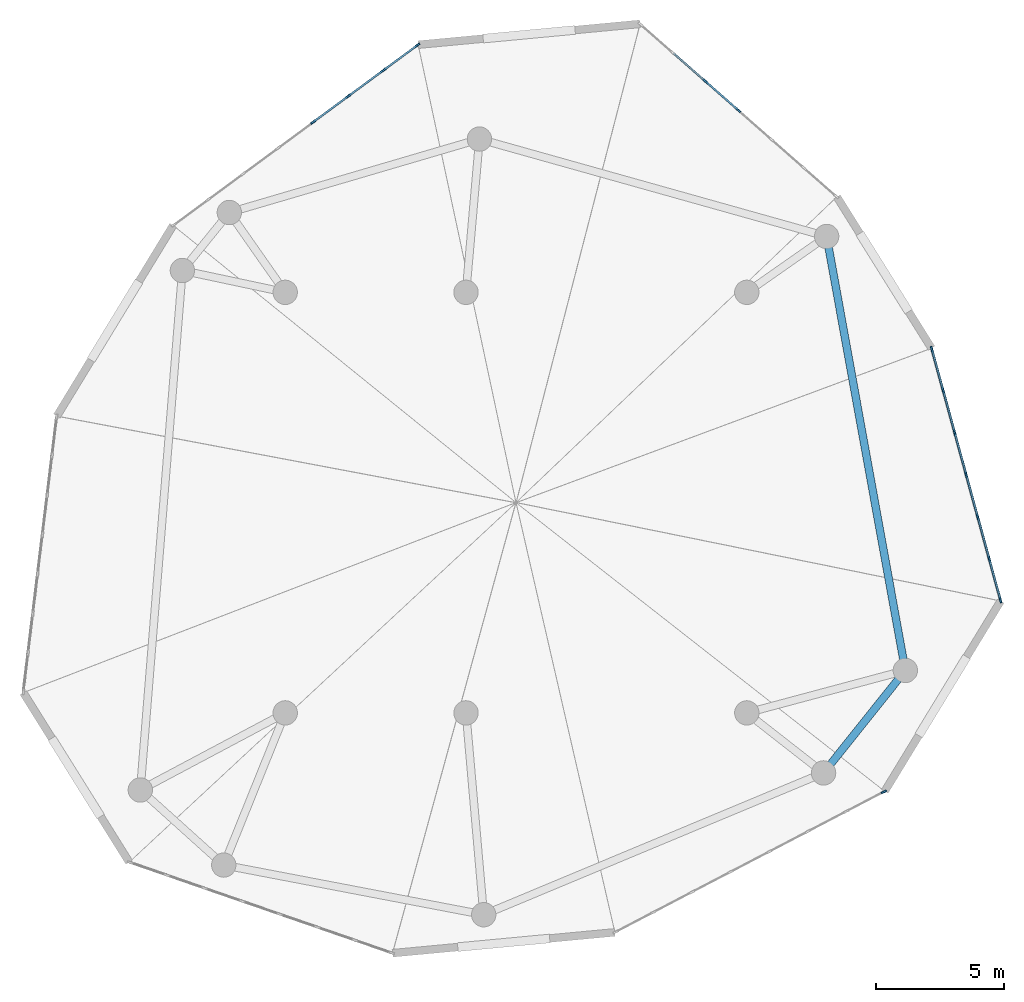
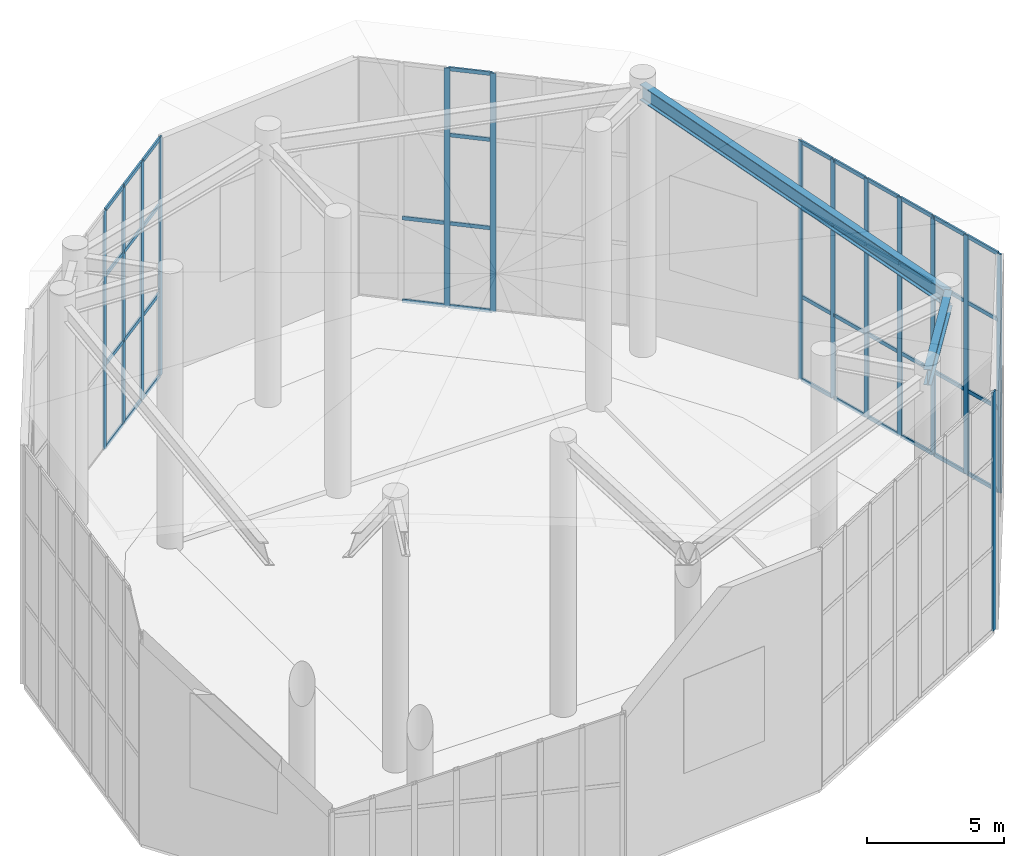
# One storey, part 4 of 8: 56 members, 2 beams, 4 elements without a shape of their own.
"""IFC4 building model written with IfcOpenShell, lengths in metres."""

from ifc_helpers import new_model, si_unit, direction, frame, origin, origin_with_axes, origin_2d, place, context, subcontext, project, spatial, rectangle, i_section, extrude, source, transform, mapped, material, layer, layer_set, material_profile, profile_set, type_object, element, aggregate, save


model = new_model("IFC4")

# Units and contexts
model_context = context("Model", 3, precision=1e-05, world=origin(), true_north=direction((0.0, 1.0)))
body_context = subcontext(model_context, "Body", "Model", "MODEL_VIEW")
ifc_project = project(units=[si_unit("LENGTHUNIT", "METRE"), si_unit("AREAUNIT", "SQUARE_METRE"), si_unit("VOLUMEUNIT", "CUBIC_METRE"), si_unit("PLANEANGLEUNIT", "RADIAN"), si_unit("MASSUNIT", "GRAM", prefix="KILO")], contexts=[model_context])

# Site, building, storey
site_placement = place(None, origin())
site = spatial("IfcSite", under=ifc_project, at=site_placement, CompositionType="ELEMENT")
building_placement = place(site_placement, origin())
building = spatial("IfcBuilding", under=site, at=building_placement, Name="Karkom Vertical University and Central Library", CompositionType="ELEMENT")
storey_placement = place(building_placement, frame((0.0, 0.0, 290.0)))
storey = spatial("IfcBuildingStorey", under=building, at=storey_placement, Name="R82", CompositionType="ELEMENT", Elevation=290.0)

# Beams
ifc_material_1 = material(Name="Steel S355", Category="steel")
ifc_material_profile_1 = material_profile(ifc_material_1, i_section(OverallWidth=0.300048828125, OverallDepth=0.699951171875, WebThickness=0.01708984375, FlangeThickness=0.031982421875, FilletRadius=0.027099609375, at=origin_2d()), Name="HE 700 B")
ifc_profile_set_1 = profile_set([ifc_material_profile_1], Name="Steel S355")
beam_type = type_object("IfcBeamType", Name="STR-BM-SB-HE700", PredefinedType="USERDEFINED", material=ifc_profile_set_1)
shared_shape_1 = source(origin_with_axes(), body_context, "Body", "SweptSolid", [
    extrude(i_section(OverallWidth=0.300048828125, OverallDepth=0.699951171875, WebThickness=0.01708984375, FlangeThickness=0.031982421875, FilletRadius=0.027099609375, at=origin_2d()), origin(), (0.0, 0.0, 1.0), 17.19970703125),
])
beam_1_placement = place(storey_placement, frame((43.681884765625, 19.9560546875, 11.580078125), z_axis=(-0.178423249727, 0.983953832228, 0.0), x_axis=(-0.983953832228, -0.178423249727, 0.0)))
element("IfcBeam", 1, at=beam_1_placement, inside=storey, type_object=beam_type, Name="Roof Level 82 Crown Top Cap Ring Beam 01", ObjectType="GIRDER", PredefinedType="USERDEFINED", context=body_context, shape_type="MappedRepresentation", body=[
    mapped(shared_shape_1, transform((0.0, 0.0, 0.0), scale=1.0)),
])
shared_shape_2 = source(origin_with_axes(), body_context, "Body", "SweptSolid", [
    extrude(i_section(OverallWidth=0.300048828125, OverallDepth=0.699951171875, WebThickness=0.01708984375, FlangeThickness=0.031982421875, FilletRadius=0.027099609375, at=origin_2d()), origin(), (0.0, 0.0, 1.0), 5.112060546875),
])
beam_2_placement = place(storey_placement, frame((40.493896484375, 15.9599609375, 11.580078125), z_axis=(0.623634459503, 0.78171609995, 0.0), x_axis=(-0.78171609995, 0.623634459503, 0.0)))
element("IfcBeam", 2, at=beam_2_placement, inside=storey, type_object=beam_type, Name="Roof Level 82 Crown Top Cap Ring Beam 09", ObjectType="GIRDER", PredefinedType="USERDEFINED", context=body_context, shape_type="MappedRepresentation", body=[
    mapped(shared_shape_2, transform((0.0, 0.0, 0.0), scale=1.0)),
])

# Curtain wall, member
ifc_material_2 = material(Name="Aluminium curtain-wall framing and low-E IGU", Category="aluminium")
ifc_layer = layer(ifc_material_2, 0.199951171875)
ifc_layer_set = layer_set([ifc_layer], Name="Aluminium curtain-wall framing and low-E IGU")
curtain_wall_type = type_object("IfcCurtainWallType", Name="ENV-CW-6", PredefinedType="USERDEFINED", material=ifc_layer_set)
curtain_wall_1_placement = place(storey_placement, origin())
curtain_wall_1 = element("IfcCurtainWall", 3, at=curtain_wall_1_placement, inside=storey, type_object=curtain_wall_type, Name="Roof Level 82 CW-6 Curtain Wall R82-CW6-04", ObjectType="UNITISED GLAZING", PredefinedType="USERDEFINED")
ifc_material_3 = material(Name="Anodised Aluminium 6063-T6", Category="aluminium")
ifc_material_profile_2 = material_profile(ifc_material_3, rectangle(XDim=0.074951171875, YDim=0.219970703125, at=origin_2d()), Name="ALU-M75x220")
ifc_profile_set_2 = profile_set([ifc_material_profile_2], Name="Anodised Aluminium 6063-T6")
member_type_1 = type_object("IfcMemberType", Name="ENV-MEM-ALU-M75x220", PredefinedType="MULLION", material=ifc_profile_set_2)
shared_shape_3 = source(origin_with_axes(), body_context, "Body", "SweptSolid", [
    extrude(rectangle(XDim=0.074951171875, YDim=0.219970703125, at=origin_2d()), origin(), (0.0, 0.0, 1.0), 10.60009765625),
])
member_1_placement = place(storey_placement, frame((42.846923828125, 15.22412109375, 0.0), z_axis=(0.0, 0.0, 1.0), x_axis=(-0.463283516735, 0.886210123572, 0.0)))
member_1 = element("IfcMember", 4, at=member_1_placement, type_object=member_type_1, Name="CW-6 mullion 8", PredefinedType="MULLION", context=body_context, shape_type="MappedRepresentation", body=[
    mapped(shared_shape_3, transform((0.0, 0.0, 0.0), scale=1.0)),
])
aggregate(curtain_wall_1, [member_1])

# Curtain wall, members
curtain_wall_2_placement = place(storey_placement, origin())
curtain_wall_2 = element("IfcCurtainWall", 5, at=curtain_wall_2_placement, inside=storey, type_object=curtain_wall_type, Name="Roof Level 82 CW-6 Curtain Wall R82-CW6-06", ObjectType="UNITISED GLAZING", PredefinedType="USERDEFINED")
member_2_placement = place(storey_placement, frame((47.391357421875, 22.697021484375, 0.0), z_axis=(0.0, 0.0, 1.0), x_axis=(-0.964579869177, -0.263790970238, 0.0)))
member_2 = element("IfcMember", 6, at=member_2_placement, type_object=member_type_1, Name="CW-6 mullion 1", PredefinedType="MULLION", context=body_context, shape_type="MappedRepresentation", body=[
    mapped(shared_shape_3, transform((0.0, 0.0, 0.0), scale=1.0)),
])
member_3_placement = place(storey_placement, frame((46.95166015625, 24.3046875, 0.0), z_axis=(0.0, 0.0, 1.0), x_axis=(-0.964579869177, -0.263790970238, 0.0)))
member_3 = element("IfcMember", 7, at=member_3_placement, type_object=member_type_1, Name="CW-6 mullion 2", PredefinedType="MULLION", context=body_context, shape_type="MappedRepresentation", body=[
    mapped(shared_shape_3, transform((0.0, 0.0, 0.0), scale=1.0)),
])
member_4_placement = place(storey_placement, frame((46.502197265625, 25.948486328125, 0.0), z_axis=(0.0, 0.0, 1.0), x_axis=(-0.964579869177, -0.263790970238, 0.0)))
member_4 = element("IfcMember", 8, at=member_4_placement, type_object=member_type_1, Name="CW-6 mullion 3", PredefinedType="MULLION", context=body_context, shape_type="MappedRepresentation", body=[
    mapped(shared_shape_3, transform((0.0, 0.0, 0.0), scale=1.0)),
])
member_5_placement = place(storey_placement, frame((46.052490234375, 27.59228515625, 0.0), z_axis=(0.0, 0.0, 1.0), x_axis=(-0.964579869177, -0.263790970238, 0.0)))
member_5 = element("IfcMember", 9, at=member_5_placement, type_object=member_type_1, Name="CW-6 mullion 4", PredefinedType="MULLION", context=body_context, shape_type="MappedRepresentation", body=[
    mapped(shared_shape_3, transform((0.0, 0.0, 0.0), scale=1.0)),
])
member_6_placement = place(storey_placement, frame((45.60302734375, 29.236083984375, 0.0), z_axis=(0.0, 0.0, 1.0), x_axis=(-0.964579869177, -0.263790970238, 0.0)))
member_6 = element("IfcMember", 10, at=member_6_placement, type_object=member_type_1, Name="CW-6 mullion 5", PredefinedType="MULLION", context=body_context, shape_type="MappedRepresentation", body=[
    mapped(shared_shape_3, transform((0.0, 0.0, 0.0), scale=1.0)),
])
member_7_placement = place(storey_placement, frame((45.153564453125, 30.879638671875, 0.0), z_axis=(0.0, 0.0, 1.0), x_axis=(-0.964579869177, -0.263790970238, 0.0)))
member_7 = element("IfcMember", 11, at=member_7_placement, type_object=member_type_1, Name="CW-6 mullion 6", PredefinedType="MULLION", context=body_context, shape_type="MappedRepresentation", body=[
    mapped(shared_shape_3, transform((0.0, 0.0, 0.0), scale=1.0)),
])
member_8_placement = place(storey_placement, frame((44.7138671875, 32.4873046875, 0.0), z_axis=(0.0, 0.0, 1.0), x_axis=(-0.964579869177, -0.263790970238, 0.0)))
member_8 = element("IfcMember", 12, at=member_8_placement, type_object=member_type_1, Name="CW-6 mullion 7", PredefinedType="MULLION", context=body_context, shape_type="MappedRepresentation", body=[
    mapped(shared_shape_3, transform((0.0, 0.0, 0.0), scale=1.0)),
])

curtain_wall_3_placement = place(storey_placement, origin())
curtain_wall_3 = element("IfcCurtainWall", 13, at=curtain_wall_3_placement, inside=storey, type_object=curtain_wall_type, Name="Roof Level 82 CW-6 Curtain Wall R82-CW6-08", ObjectType="UNITISED GLAZING", PredefinedType="USERDEFINED")
member_9_placement = place(storey_placement, frame((37.17626953125, 41.79736328125, 0.0), z_axis=(0.0, 0.0, 1.0), x_axis=(-0.659935992158, -0.75132182602, 0.0)))
member_9 = element("IfcMember", 14, at=member_9_placement, type_object=member_type_1, Name="CW-6 mullion 4", PredefinedType="MULLION", context=body_context, shape_type="MappedRepresentation", body=[
    mapped(shared_shape_3, transform((0.0, 0.0, 0.0), scale=1.0)),
])
member_10_placement = place(storey_placement, frame((35.89599609375, 42.921875, 0.0), z_axis=(0.0, 0.0, 1.0), x_axis=(-0.659935992158, -0.75132182602, 0.0)))
member_10 = element("IfcMember", 15, at=member_10_placement, type_object=member_type_1, Name="CW-6 mullion 5", PredefinedType="MULLION", context=body_context, shape_type="MappedRepresentation", body=[
    mapped(shared_shape_3, transform((0.0, 0.0, 0.0), scale=1.0)),
])

curtain_wall_4_placement = place(storey_placement, origin())
curtain_wall_4 = element("IfcCurtainWall", 16, at=curtain_wall_4_placement, inside=storey, type_object=curtain_wall_type, Name="Roof Level 82 CW-6 Curtain Wall R82-CW6-10", ObjectType="UNITISED GLAZING", PredefinedType="USERDEFINED")
member_11_placement = place(storey_placement, frame((24.65478515625, 44.337890625, 0.0), z_axis=(0.0, 0.0, 1.0), x_axis=(0.593428498713, -0.804886710609, 0.0)))
member_11 = element("IfcMember", 17, at=member_11_placement, type_object=member_type_1, Name="CW-6 mullion 1", PredefinedType="MULLION", context=body_context, shape_type="MappedRepresentation", body=[
    mapped(shared_shape_3, transform((0.0, 0.0, 0.0), scale=1.0)),
])
member_12_placement = place(storey_placement, frame((23.3193359375, 43.353271484375, 0.0), z_axis=(0.0, 0.0, 1.0), x_axis=(0.593428498713, -0.804886710609, 0.0)))
member_12 = element("IfcMember", 18, at=member_12_placement, type_object=member_type_1, Name="CW-6 mullion 2", PredefinedType="MULLION", context=body_context, shape_type="MappedRepresentation", body=[
    mapped(shared_shape_3, transform((0.0, 0.0, 0.0), scale=1.0)),
])
member_13_placement = place(storey_placement, frame((21.95361328125, 42.346435546875, 0.0), z_axis=(0.0, 0.0, 1.0), x_axis=(0.593428498713, -0.804886710609, 0.0)))
member_13 = element("IfcMember", 19, at=member_13_placement, type_object=member_type_1, Name="CW-6 mullion 3", PredefinedType="MULLION", context=body_context, shape_type="MappedRepresentation", body=[
    mapped(shared_shape_3, transform((0.0, 0.0, 0.0), scale=1.0)),
])
member_14_placement = place(storey_placement, frame((20.588134765625, 41.339599609375, 0.0), z_axis=(0.0, 0.0, 1.0), x_axis=(0.593428498713, -0.804886710609, 0.0)))
member_14 = element("IfcMember", 20, at=member_14_placement, type_object=member_type_1, Name="CW-6 mullion 4", PredefinedType="MULLION", context=body_context, shape_type="MappedRepresentation", body=[
    mapped(shared_shape_3, transform((0.0, 0.0, 0.0), scale=1.0)),
])
ifc_material_profile_3 = material_profile(ifc_material_3, rectangle(XDim=0.074951171875, YDim=0.1650390625, at=origin_2d()), Name="ALU-T75x165")
ifc_profile_set_3 = profile_set([ifc_material_profile_3], Name="Anodised Aluminium 6063-T6")
member_type_2 = type_object("IfcMemberType", Name="ENV-MEM-ALU-T75x165", PredefinedType="USERDEFINED", material=ifc_profile_set_3)
shared_shape_4 = source(origin_with_axes(), body_context, "Body", "SweptSolid", [
    extrude(rectangle(XDim=0.074951171875, YDim=0.1650390625, at=origin_2d()), origin(), (0.0, 0.0, 1.0), 1.621826171875),
])
member_15_placement = place(storey_placement, frame((21.923583984375, 42.32421875, 0.03759765625), z_axis=(-0.804904466532, -0.593404415012, 0.0), x_axis=(0.593404415012, -0.804904466532, 0.0)))
member_15 = element("IfcMember", 21, at=member_15_placement, type_object=member_type_2, Name="CW-6 transom 3.1", ObjectType="TRANSOM", PredefinedType="USERDEFINED", context=body_context, shape_type="MappedRepresentation", body=[
    mapped(shared_shape_4, transform((0.0, 0.0, 0.0), scale=1.0)),
])
member_16_placement = place(storey_placement, frame((21.923583984375, 42.32421875, 3.7099609375), z_axis=(-0.804904466532, -0.593404415012, 0.0), x_axis=(0.593404415012, -0.804904466532, 0.0)))
member_16 = element("IfcMember", 22, at=member_16_placement, type_object=member_type_2, Name="CW-6 transom 3.2", ObjectType="TRANSOM", PredefinedType="USERDEFINED", context=body_context, shape_type="MappedRepresentation", body=[
    mapped(shared_shape_4, transform((0.0, 0.0, 0.0), scale=1.0)),
])
member_17_placement = place(storey_placement, frame((21.923583984375, 42.32421875, 7.632080078125), z_axis=(-0.804904466532, -0.593404415012, 0.0), x_axis=(0.593404415012, -0.804904466532, 0.0)))
member_17 = element("IfcMember", 23, at=member_17_placement, type_object=member_type_2, Name="CW-6 transom 3.3", ObjectType="TRANSOM", PredefinedType="USERDEFINED", context=body_context, shape_type="MappedRepresentation", body=[
    mapped(shared_shape_4, transform((0.0, 0.0, 0.0), scale=1.0)),
])
member_18_placement = place(storey_placement, frame((21.923583984375, 42.32421875, 10.5625), z_axis=(-0.804904466532, -0.593404415012, 0.0), x_axis=(0.593404415012, -0.804904466532, 0.0)))
member_18 = element("IfcMember", 24, at=member_18_placement, type_object=member_type_2, Name="CW-6 transom 3.4", ObjectType="TRANSOM", PredefinedType="USERDEFINED", context=body_context, shape_type="MappedRepresentation", body=[
    mapped(shared_shape_4, transform((0.0, 0.0, 0.0), scale=1.0)),
])
shared_shape_5 = source(origin_with_axes(), body_context, "Body", "SweptSolid", [
    extrude(rectangle(XDim=0.074951171875, YDim=0.1650390625, at=origin_2d()), origin(), (0.0, 0.0, 1.0), 1.62158203125),
])
member_19_placement = place(storey_placement, frame((23.2890625, 43.3310546875, 0.03759765625), z_axis=(-0.804851449595, -0.593476321419, 0.0), x_axis=(0.593476321419, -0.804851449595, 0.0)))
member_19 = element("IfcMember", 25, at=member_19_placement, type_object=member_type_2, Name="CW-6 transom 2.1", ObjectType="TRANSOM", PredefinedType="USERDEFINED", context=body_context, shape_type="MappedRepresentation", body=[
    mapped(shared_shape_5, transform((0.0, 0.0, 0.0), scale=1.0)),
])
member_20_placement = place(storey_placement, frame((23.2890625, 43.3310546875, 3.7099609375), z_axis=(-0.804851449595, -0.593476321419, 0.0), x_axis=(0.593476321419, -0.804851449595, 0.0)))
member_20 = element("IfcMember", 26, at=member_20_placement, type_object=member_type_2, Name="CW-6 transom 2.2", ObjectType="TRANSOM", PredefinedType="USERDEFINED", context=body_context, shape_type="MappedRepresentation", body=[
    mapped(shared_shape_5, transform((0.0, 0.0, 0.0), scale=1.0)),
])
member_21_placement = place(storey_placement, frame((23.2890625, 43.3310546875, 7.632080078125), z_axis=(-0.804851449595, -0.593476321419, 0.0), x_axis=(0.593476321419, -0.804851449595, 0.0)))
member_21 = element("IfcMember", 27, at=member_21_placement, type_object=member_type_2, Name="CW-6 transom 2.3", ObjectType="TRANSOM", PredefinedType="USERDEFINED", context=body_context, shape_type="MappedRepresentation", body=[
    mapped(shared_shape_5, transform((0.0, 0.0, 0.0), scale=1.0)),
])
member_22_placement = place(storey_placement, frame((23.2890625, 43.3310546875, 10.5625), z_axis=(-0.804851449595, -0.593476321419, 0.0), x_axis=(0.593476321419, -0.804851449595, 0.0)))
member_22 = element("IfcMember", 28, at=member_22_placement, type_object=member_type_2, Name="CW-6 transom 2.4", ObjectType="TRANSOM", PredefinedType="USERDEFINED", context=body_context, shape_type="MappedRepresentation", body=[
    mapped(shared_shape_5, transform((0.0, 0.0, 0.0), scale=1.0)),
])

# Member
shared_shape_6 = source(origin_with_axes(), body_context, "Body", "SweptSolid", [
    extrude(rectangle(XDim=0.074951171875, YDim=0.1650390625, at=origin_2d()), origin(), (0.0, 0.0, 1.0), 1.591796875),
])
member_23_placement = place(storey_placement, frame((47.38134765625, 22.733154296875, 0.03759765625), z_axis=(-0.263662457344, 0.964615005371, 0.0), x_axis=(-0.964615005371, -0.263662457344, 0.0)))
member_23 = element("IfcMember", 29, at=member_23_placement, type_object=member_type_2, Name="CW-6 transom 1.1", ObjectType="TRANSOM", PredefinedType="USERDEFINED", context=body_context, shape_type="MappedRepresentation", body=[
    mapped(shared_shape_6, transform((0.0, 0.0, 0.0), scale=1.0)),
])

member_24_placement = place(storey_placement, frame((47.38134765625, 22.733154296875, 3.7099609375), z_axis=(-0.263662457344, 0.964615005371, 0.0), x_axis=(-0.964615005371, -0.263662457344, 0.0)))
member_24 = element("IfcMember", 30, at=member_24_placement, type_object=member_type_2, Name="CW-6 transom 1.2", ObjectType="TRANSOM", PredefinedType="USERDEFINED", context=body_context, shape_type="MappedRepresentation", body=[
    mapped(shared_shape_6, transform((0.0, 0.0, 0.0), scale=1.0)),
])

member_25_placement = place(storey_placement, frame((47.38134765625, 22.733154296875, 7.632080078125), z_axis=(-0.263662457344, 0.964615005371, 0.0), x_axis=(-0.964615005371, -0.263662457344, 0.0)))
member_25 = element("IfcMember", 31, at=member_25_placement, type_object=member_type_2, Name="CW-6 transom 1.3", ObjectType="TRANSOM", PredefinedType="USERDEFINED", context=body_context, shape_type="MappedRepresentation", body=[
    mapped(shared_shape_6, transform((0.0, 0.0, 0.0), scale=1.0)),
])

member_26_placement = place(storey_placement, frame((47.38134765625, 22.733154296875, 10.5625), z_axis=(-0.263662457344, 0.964615005371, 0.0), x_axis=(-0.964615005371, -0.263662457344, 0.0)))
member_26 = element("IfcMember", 32, at=member_26_placement, type_object=member_type_2, Name="CW-6 transom 1.4", ObjectType="TRANSOM", PredefinedType="USERDEFINED", context=body_context, shape_type="MappedRepresentation", body=[
    mapped(shared_shape_6, transform((0.0, 0.0, 0.0), scale=1.0)),
])

shared_shape_7 = source(origin_with_axes(), body_context, "Body", "SweptSolid", [
    extrude(rectangle(XDim=0.074951171875, YDim=0.1650390625, at=origin_2d()), origin(), (0.0, 0.0, 1.0), 1.62939453125),
])
member_27_placement = place(storey_placement, frame((46.94189453125, 24.3408203125, 0.03759765625), z_axis=(-0.263878078508, 0.96455604279, 0.0), x_axis=(-0.96455604279, -0.263878078508, 0.0)))
member_27 = element("IfcMember", 33, at=member_27_placement, type_object=member_type_2, Name="CW-6 transom 2.1", ObjectType="TRANSOM", PredefinedType="USERDEFINED", context=body_context, shape_type="MappedRepresentation", body=[
    mapped(shared_shape_7, transform((0.0, 0.0, 0.0), scale=1.0)),
])

member_28_placement = place(storey_placement, frame((46.94189453125, 24.3408203125, 3.7099609375), z_axis=(-0.263878078508, 0.96455604279, 0.0), x_axis=(-0.96455604279, -0.263878078508, 0.0)))
member_28 = element("IfcMember", 34, at=member_28_placement, type_object=member_type_2, Name="CW-6 transom 2.2", ObjectType="TRANSOM", PredefinedType="USERDEFINED", context=body_context, shape_type="MappedRepresentation", body=[
    mapped(shared_shape_7, transform((0.0, 0.0, 0.0), scale=1.0)),
])

member_29_placement = place(storey_placement, frame((46.94189453125, 24.3408203125, 7.632080078125), z_axis=(-0.263878078508, 0.96455604279, 0.0), x_axis=(-0.96455604279, -0.263878078508, 0.0)))
member_29 = element("IfcMember", 35, at=member_29_placement, type_object=member_type_2, Name="CW-6 transom 2.3", ObjectType="TRANSOM", PredefinedType="USERDEFINED", context=body_context, shape_type="MappedRepresentation", body=[
    mapped(shared_shape_7, transform((0.0, 0.0, 0.0), scale=1.0)),
])

member_30_placement = place(storey_placement, frame((46.94189453125, 24.3408203125, 10.5625), z_axis=(-0.263878078508, 0.96455604279, 0.0), x_axis=(-0.96455604279, -0.263878078508, 0.0)))
member_30 = element("IfcMember", 36, at=member_30_placement, type_object=member_type_2, Name="CW-6 transom 2.4", ObjectType="TRANSOM", PredefinedType="USERDEFINED", context=body_context, shape_type="MappedRepresentation", body=[
    mapped(shared_shape_7, transform((0.0, 0.0, 0.0), scale=1.0)),
])

shared_shape_8 = source(origin_with_axes(), body_context, "Body", "SweptSolid", [
    extrude(rectangle(XDim=0.074951171875, YDim=0.1650390625, at=origin_2d()), origin(), (0.0, 0.0, 1.0), 1.62890625),
])
member_31_placement = place(storey_placement, frame((46.4921875, 25.984619140625, 0.03759765625), z_axis=(-0.263776786292, 0.964583748056, 0.0), x_axis=(-0.964583748056, -0.263776786292, 0.0)))
member_31 = element("IfcMember", 37, at=member_31_placement, type_object=member_type_2, Name="CW-6 transom 3.1", ObjectType="TRANSOM", PredefinedType="USERDEFINED", context=body_context, shape_type="MappedRepresentation", body=[
    mapped(shared_shape_8, transform((0.0, 0.0, 0.0), scale=1.0)),
])

member_32_placement = place(storey_placement, frame((46.4921875, 25.984619140625, 3.7099609375), z_axis=(-0.263776786292, 0.964583748056, 0.0), x_axis=(-0.964583748056, -0.263776786292, 0.0)))
member_32 = element("IfcMember", 38, at=member_32_placement, type_object=member_type_2, Name="CW-6 transom 3.2", ObjectType="TRANSOM", PredefinedType="USERDEFINED", context=body_context, shape_type="MappedRepresentation", body=[
    mapped(shared_shape_8, transform((0.0, 0.0, 0.0), scale=1.0)),
])

member_33_placement = place(storey_placement, frame((46.4921875, 25.984619140625, 7.632080078125), z_axis=(-0.263776786292, 0.964583748056, 0.0), x_axis=(-0.964583748056, -0.263776786292, 0.0)))
member_33 = element("IfcMember", 39, at=member_33_placement, type_object=member_type_2, Name="CW-6 transom 3.3", ObjectType="TRANSOM", PredefinedType="USERDEFINED", context=body_context, shape_type="MappedRepresentation", body=[
    mapped(shared_shape_8, transform((0.0, 0.0, 0.0), scale=1.0)),
])

member_34_placement = place(storey_placement, frame((46.4921875, 25.984619140625, 10.5625), z_axis=(-0.263776786292, 0.964583748056, 0.0), x_axis=(-0.964583748056, -0.263776786292, 0.0)))
member_34 = element("IfcMember", 40, at=member_34_placement, type_object=member_type_2, Name="CW-6 transom 3.4", ObjectType="TRANSOM", PredefinedType="USERDEFINED", context=body_context, shape_type="MappedRepresentation", body=[
    mapped(shared_shape_8, transform((0.0, 0.0, 0.0), scale=1.0)),
])

member_35_placement = place(storey_placement, frame((46.042724609375, 27.62841796875, 0.03759765625), z_axis=(-0.263776786292, 0.964583748056, 0.0), x_axis=(-0.964583748056, -0.263776786292, 0.0)))
member_35 = element("IfcMember", 41, at=member_35_placement, type_object=member_type_2, Name="CW-6 transom 4.1", ObjectType="TRANSOM", PredefinedType="USERDEFINED", context=body_context, shape_type="MappedRepresentation", body=[
    mapped(shared_shape_8, transform((0.0, 0.0, 0.0), scale=1.0)),
])

member_36_placement = place(storey_placement, frame((46.042724609375, 27.62841796875, 3.7099609375), z_axis=(-0.263776786292, 0.964583748056, 0.0), x_axis=(-0.964583748056, -0.263776786292, 0.0)))
member_36 = element("IfcMember", 42, at=member_36_placement, type_object=member_type_2, Name="CW-6 transom 4.2", ObjectType="TRANSOM", PredefinedType="USERDEFINED", context=body_context, shape_type="MappedRepresentation", body=[
    mapped(shared_shape_8, transform((0.0, 0.0, 0.0), scale=1.0)),
])

member_37_placement = place(storey_placement, frame((46.042724609375, 27.62841796875, 7.632080078125), z_axis=(-0.263776786292, 0.964583748056, 0.0), x_axis=(-0.964583748056, -0.263776786292, 0.0)))
member_37 = element("IfcMember", 43, at=member_37_placement, type_object=member_type_2, Name="CW-6 transom 4.3", ObjectType="TRANSOM", PredefinedType="USERDEFINED", context=body_context, shape_type="MappedRepresentation", body=[
    mapped(shared_shape_8, transform((0.0, 0.0, 0.0), scale=1.0)),
])

member_38_placement = place(storey_placement, frame((46.042724609375, 27.62841796875, 10.5625), z_axis=(-0.263776786292, 0.964583748056, 0.0), x_axis=(-0.964583748056, -0.263776786292, 0.0)))
member_38 = element("IfcMember", 44, at=member_38_placement, type_object=member_type_2, Name="CW-6 transom 4.4", ObjectType="TRANSOM", PredefinedType="USERDEFINED", context=body_context, shape_type="MappedRepresentation", body=[
    mapped(shared_shape_8, transform((0.0, 0.0, 0.0), scale=1.0)),
])

member_39_placement = place(storey_placement, frame((35.86767578125, 42.94677734375, 0.03759765625), z_axis=(-0.751340532472, 0.659914694688, 0.0), x_axis=(-0.659914694688, -0.751340532472, 0.0)))
member_39 = element("IfcMember", 45, at=member_39_placement, type_object=member_type_2, Name="CW-6 transom 5.1", ObjectType="TRANSOM", PredefinedType="USERDEFINED", context=body_context, shape_type="MappedRepresentation", body=[
    mapped(shared_shape_8, transform((0.0, 0.0, 0.0), scale=1.0)),
])

member_40_placement = place(storey_placement, frame((35.86767578125, 42.94677734375, 3.7099609375), z_axis=(-0.751340532472, 0.659914694688, 0.0), x_axis=(-0.659914694688, -0.751340532472, 0.0)))
member_40 = element("IfcMember", 46, at=member_40_placement, type_object=member_type_2, Name="CW-6 transom 5.2", ObjectType="TRANSOM", PredefinedType="USERDEFINED", context=body_context, shape_type="MappedRepresentation", body=[
    mapped(shared_shape_8, transform((0.0, 0.0, 0.0), scale=1.0)),
])

shared_shape_9 = source(origin_with_axes(), body_context, "Body", "SweptSolid", [
    extrude(rectangle(XDim=0.074951171875, YDim=0.1650390625, at=origin_2d()), origin(), (0.0, 0.0, 1.0), 1.629150390625),
])
member_41_placement = place(storey_placement, frame((45.59326171875, 29.272216796875, 0.03759765625), z_axis=(-0.263916223292, 0.964545606534, 0.0), x_axis=(-0.964545606534, -0.263916223292, 0.0)))
member_41 = element("IfcMember", 47, at=member_41_placement, type_object=member_type_2, Name="CW-6 transom 5.1", ObjectType="TRANSOM", PredefinedType="USERDEFINED", context=body_context, shape_type="MappedRepresentation", body=[
    mapped(shared_shape_9, transform((0.0, 0.0, 0.0), scale=1.0)),
])

member_42_placement = place(storey_placement, frame((45.59326171875, 29.272216796875, 3.7099609375), z_axis=(-0.263916223292, 0.964545606534, 0.0), x_axis=(-0.964545606534, -0.263916223292, 0.0)))
member_42 = element("IfcMember", 48, at=member_42_placement, type_object=member_type_2, Name="CW-6 transom 5.2", ObjectType="TRANSOM", PredefinedType="USERDEFINED", context=body_context, shape_type="MappedRepresentation", body=[
    mapped(shared_shape_9, transform((0.0, 0.0, 0.0), scale=1.0)),
])

member_43_placement = place(storey_placement, frame((45.59326171875, 29.272216796875, 7.632080078125), z_axis=(-0.263916223292, 0.964545606534, 0.0), x_axis=(-0.964545606534, -0.263916223292, 0.0)))
member_43 = element("IfcMember", 49, at=member_43_placement, type_object=member_type_2, Name="CW-6 transom 5.3", ObjectType="TRANSOM", PredefinedType="USERDEFINED", context=body_context, shape_type="MappedRepresentation", body=[
    mapped(shared_shape_9, transform((0.0, 0.0, 0.0), scale=1.0)),
])

member_44_placement = place(storey_placement, frame((45.59326171875, 29.272216796875, 10.5625), z_axis=(-0.263916223292, 0.964545606534, 0.0), x_axis=(-0.964545606534, -0.263916223292, 0.0)))
member_44 = element("IfcMember", 50, at=member_44_placement, type_object=member_type_2, Name="CW-6 transom 5.4", ObjectType="TRANSOM", PredefinedType="USERDEFINED", context=body_context, shape_type="MappedRepresentation", body=[
    mapped(shared_shape_9, transform((0.0, 0.0, 0.0), scale=1.0)),
])

member_45_placement = place(storey_placement, frame((37.148193359375, 41.822021484375, 0.03759765625), z_axis=(-0.75133149166, 0.659924987888, 0.0), x_axis=(-0.659924987888, -0.75133149166, 0.0)))
member_45 = element("IfcMember", 51, at=member_45_placement, type_object=member_type_2, Name="CW-6 transom 4.1", ObjectType="TRANSOM", PredefinedType="USERDEFINED", context=body_context, shape_type="MappedRepresentation", body=[
    mapped(shared_shape_9, transform((0.0, 0.0, 0.0), scale=1.0)),
])

member_46_placement = place(storey_placement, frame((37.148193359375, 41.822021484375, 3.7099609375), z_axis=(-0.75133149166, 0.659924987888, 0.0), x_axis=(-0.659924987888, -0.75133149166, 0.0)))
member_46 = element("IfcMember", 52, at=member_46_placement, type_object=member_type_2, Name="CW-6 transom 4.2", ObjectType="TRANSOM", PredefinedType="USERDEFINED", context=body_context, shape_type="MappedRepresentation", body=[
    mapped(shared_shape_9, transform((0.0, 0.0, 0.0), scale=1.0)),
])

member_47_placement = place(storey_placement, frame((37.148193359375, 41.822021484375, 7.632080078125), z_axis=(-0.75133149166, 0.659924987888, 0.0), x_axis=(-0.659924987888, -0.75133149166, 0.0)))
member_47 = element("IfcMember", 53, at=member_47_placement, type_object=member_type_2, Name="CW-6 transom 4.3", ObjectType="TRANSOM", PredefinedType="USERDEFINED", context=body_context, shape_type="MappedRepresentation", body=[
    mapped(shared_shape_9, transform((0.0, 0.0, 0.0), scale=1.0)),
])

member_48_placement = place(storey_placement, frame((37.148193359375, 41.822021484375, 10.5625), z_axis=(-0.75133149166, 0.659924987888, 0.0), x_axis=(-0.659924987888, -0.75133149166, 0.0)))
member_48 = element("IfcMember", 54, at=member_48_placement, type_object=member_type_2, Name="CW-6 transom 4.4", ObjectType="TRANSOM", PredefinedType="USERDEFINED", context=body_context, shape_type="MappedRepresentation", body=[
    mapped(shared_shape_9, transform((0.0, 0.0, 0.0), scale=1.0)),
])

aggregate(curtain_wall_3, [member_9, member_10, member_45, member_46, member_47, member_48, member_39, member_40])

shared_shape_10 = source(origin_with_axes(), body_context, "Body", "SweptSolid", [
    extrude(rectangle(XDim=0.074951171875, YDim=0.1650390625, at=origin_2d()), origin(), (0.0, 0.0, 1.0), 1.591552734375),
])
member_49_placement = place(storey_placement, frame((45.1435546875, 30.916015625, 0.03759765625), z_axis=(-0.263701472791, 0.96460434026, 0.0), x_axis=(-0.96460434026, -0.263701472791, 0.0)))
member_49 = element("IfcMember", 55, at=member_49_placement, type_object=member_type_2, Name="CW-6 transom 6.1", ObjectType="TRANSOM", PredefinedType="USERDEFINED", context=body_context, shape_type="MappedRepresentation", body=[
    mapped(shared_shape_10, transform((0.0, 0.0, 0.0), scale=1.0)),
])

member_50_placement = place(storey_placement, frame((45.1435546875, 30.916015625, 3.7099609375), z_axis=(-0.263701472791, 0.96460434026, 0.0), x_axis=(-0.96460434026, -0.263701472791, 0.0)))
member_50 = element("IfcMember", 56, at=member_50_placement, type_object=member_type_2, Name="CW-6 transom 6.2", ObjectType="TRANSOM", PredefinedType="USERDEFINED", context=body_context, shape_type="MappedRepresentation", body=[
    mapped(shared_shape_10, transform((0.0, 0.0, 0.0), scale=1.0)),
])

member_51_placement = place(storey_placement, frame((45.1435546875, 30.916015625, 7.632080078125), z_axis=(-0.263701472791, 0.96460434026, 0.0), x_axis=(-0.96460434026, -0.263701472791, 0.0)))
member_51 = element("IfcMember", 57, at=member_51_placement, type_object=member_type_2, Name="CW-6 transom 6.3", ObjectType="TRANSOM", PredefinedType="USERDEFINED", context=body_context, shape_type="MappedRepresentation", body=[
    mapped(shared_shape_10, transform((0.0, 0.0, 0.0), scale=1.0)),
])

member_52_placement = place(storey_placement, frame((45.1435546875, 30.916015625, 10.5625), z_axis=(-0.263701472791, 0.96460434026, 0.0), x_axis=(-0.96460434026, -0.263701472791, 0.0)))
member_52 = element("IfcMember", 58, at=member_52_placement, type_object=member_type_2, Name="CW-6 transom 6.4", ObjectType="TRANSOM", PredefinedType="USERDEFINED", context=body_context, shape_type="MappedRepresentation", body=[
    mapped(shared_shape_10, transform((0.0, 0.0, 0.0), scale=1.0)),
])

aggregate(curtain_wall_2, [member_2, member_3, member_4, member_5, member_6, member_7, member_8, member_23, member_24, member_25, member_26, member_27, member_28, member_29, member_30, member_31, member_32, member_33, member_34, member_35, member_36, member_37, member_38, member_41, member_42, member_43, member_44, member_49, member_50, member_51, member_52])

shared_shape_11 = source(origin_with_axes(), body_context, "Body", "SweptSolid", [
    extrude(rectangle(XDim=0.074951171875, YDim=0.1650390625, at=origin_2d()), origin(), (0.0, 0.0, 1.0), 1.584228515625),
])
member_53_placement = place(storey_placement, frame((24.62451171875, 44.315673828125, 0.03759765625), z_axis=(-0.804947361717, -0.593346226806, 0.0), x_axis=(0.593346226806, -0.804947361717, 0.0)))
member_53 = element("IfcMember", 59, at=member_53_placement, type_object=member_type_2, Name="CW-6 transom 1.1", ObjectType="TRANSOM", PredefinedType="USERDEFINED", context=body_context, shape_type="MappedRepresentation", body=[
    mapped(shared_shape_11, transform((0.0, 0.0, 0.0), scale=1.0)),
])

member_54_placement = place(storey_placement, frame((24.62451171875, 44.315673828125, 3.7099609375), z_axis=(-0.804947361717, -0.593346226806, 0.0), x_axis=(0.593346226806, -0.804947361717, 0.0)))
member_54 = element("IfcMember", 60, at=member_54_placement, type_object=member_type_2, Name="CW-6 transom 1.2", ObjectType="TRANSOM", PredefinedType="USERDEFINED", context=body_context, shape_type="MappedRepresentation", body=[
    mapped(shared_shape_11, transform((0.0, 0.0, 0.0), scale=1.0)),
])

member_55_placement = place(storey_placement, frame((24.62451171875, 44.315673828125, 7.632080078125), z_axis=(-0.804947361717, -0.593346226806, 0.0), x_axis=(0.593346226806, -0.804947361717, 0.0)))
member_55 = element("IfcMember", 61, at=member_55_placement, type_object=member_type_2, Name="CW-6 transom 1.3", ObjectType="TRANSOM", PredefinedType="USERDEFINED", context=body_context, shape_type="MappedRepresentation", body=[
    mapped(shared_shape_11, transform((0.0, 0.0, 0.0), scale=1.0)),
])

member_56_placement = place(storey_placement, frame((24.62451171875, 44.315673828125, 10.5625), z_axis=(-0.804947361717, -0.593346226806, 0.0), x_axis=(0.593346226806, -0.804947361717, 0.0)))
member_56 = element("IfcMember", 62, at=member_56_placement, type_object=member_type_2, Name="CW-6 transom 1.4", ObjectType="TRANSOM", PredefinedType="USERDEFINED", context=body_context, shape_type="MappedRepresentation", body=[
    mapped(shared_shape_11, transform((0.0, 0.0, 0.0), scale=1.0)),
])

aggregate(curtain_wall_4, [member_11, member_12, member_13, member_14, member_53, member_54, member_55, member_56, member_19, member_20, member_21, member_22, member_15, member_16, member_17, member_18])

save(model, "model.ifc")
